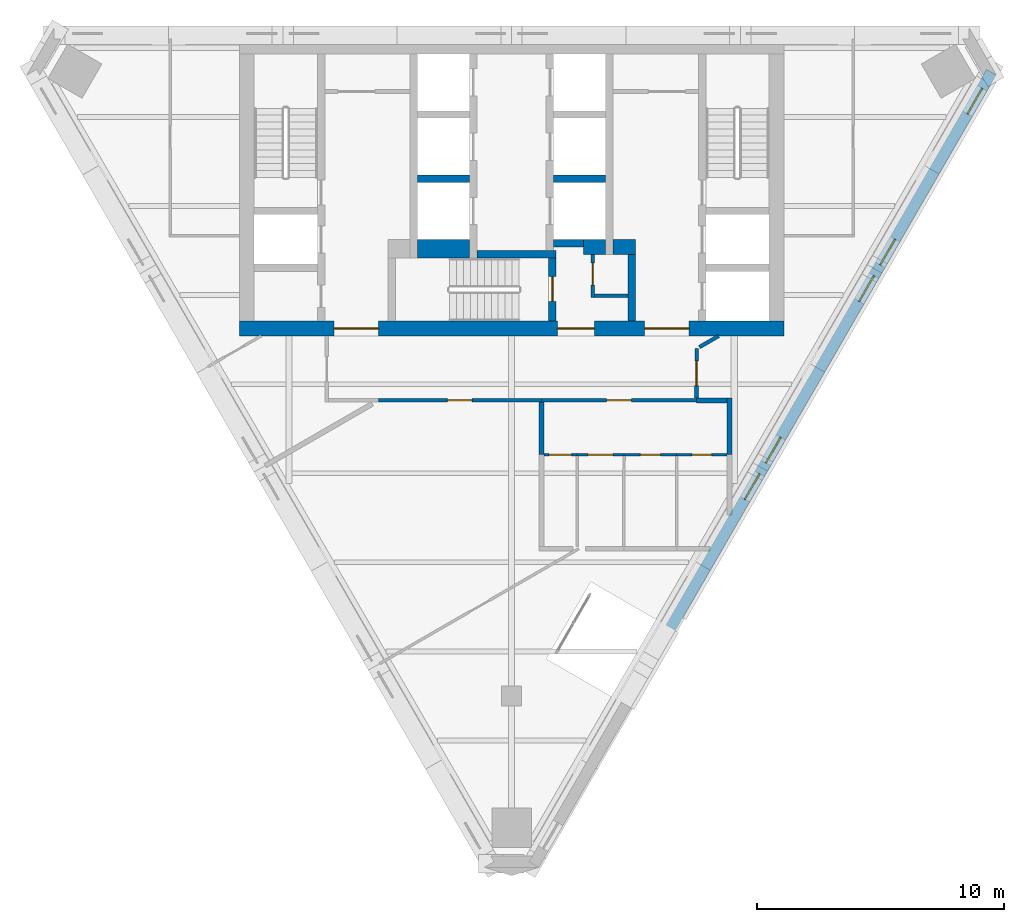
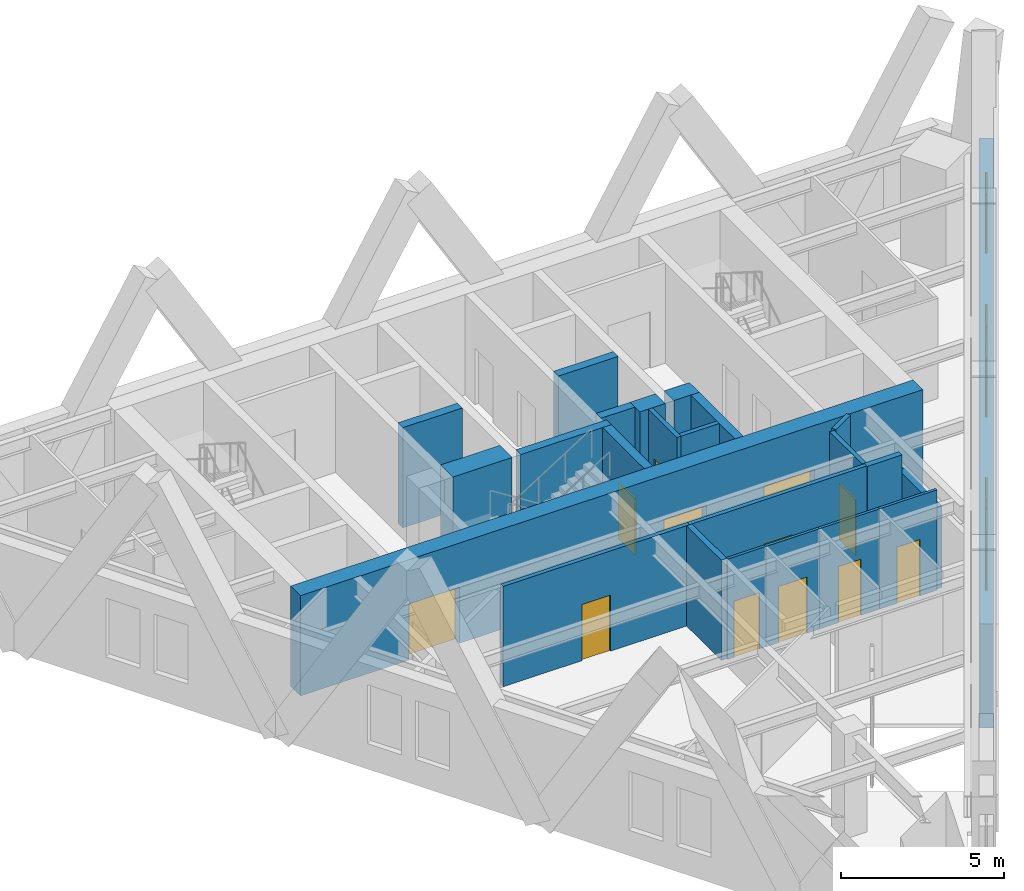
# One storey, part 5 of 9: 24 walls, 12 doors, 5 windows, 17 openings.
"""IFC4 building model written with IfcOpenShell, lengths in metres."""

from ifc_helpers import new_model, si_unit, direction, frame, frame_2d, origin, place, context, subcontext, project, spatial, polyline, rectangle, outline, extrude, material, layer, layer_set, type_object, element, fill, save


model = new_model("IFC4")

# Units and contexts
model_context = context("Model", 3, precision=1e-05, world=origin(), true_north=direction((0.0, 1.0)))
body_context = subcontext(model_context, "Body", "Model", "MODEL_VIEW")
ifc_project = project(units=[si_unit("LENGTHUNIT", "METRE"), si_unit("AREAUNIT", "SQUARE_METRE"), si_unit("VOLUMEUNIT", "CUBIC_METRE"), si_unit("PLANEANGLEUNIT", "RADIAN"), si_unit("MASSUNIT", "GRAM", prefix="KILO")], contexts=[model_context])

# Site, building, storey
site_placement = place(None, origin())
site = spatial("IfcSite", under=ifc_project, at=site_placement, CompositionType="ELEMENT")
building_placement = place(site_placement, origin())
building = spatial("IfcBuilding", under=site, at=building_placement, Name="Aloe Facet Convention Tower", CompositionType="ELEMENT")
storey_placement = place(building_placement, frame((0.0, 0.0, 277.699951171875)))
storey = spatial("IfcBuildingStorey", under=building, at=storey_placement, Name="L68", CompositionType="ELEMENT", Elevation=277.699951171875)

# Wall, opening, door
ifc_material_1 = material(Name="Concrete blockwork partition", Category="masonry")
ifc_layer_1 = layer(ifc_material_1, 0.14990234375)
ifc_layer_set_1 = layer_set([ifc_layer_1], Name="CR-W-PART150")
wall_type_1 = type_object("IfcWallType", Name="CR-W-PART150", PredefinedType="PARTITIONING", material=ifc_layer_set_1)
wall_1_placement = place(storey_placement, frame((83.27490234375, 125.85009765625, 0.0), z_axis=(0.0, 0.0, 1.0), x_axis=(0.0, -1.0, 0.0)))
wall_1 = element("IfcWall", 1, at=wall_1_placement, inside=storey, type_object=wall_type_1, Name="Core partition L68-022", PredefinedType="PARTITIONING", context=body_context, shape_type="SweptSolid", body=[
    extrude(rectangle(XDim=1.75, YDim=0.14990234375, at=frame_2d((0.875, 0.0))), origin(), (0.0, 0.0, 1.0), 3.75),
])
opening_1_placement = place(wall_1_placement, frame((0.35009765625, 0.0, 0.0)))
opening_1 = element("IfcOpeningElement", 2, at=opening_1_placement, cuts=wall_1, Name="Opening L68-CD12", PredefinedType="OPENING", context=body_context, shape_type="SweptSolid", body=[
    extrude(rectangle(XDim=0.89990234375, YDim=2.10009765625, at=frame_2d((0.449951171875, 1.050048828125))), frame((0.0, 0.0849609375, 0.0), z_axis=(0.0, -1.0, 0.0), x_axis=(1.0, 0.0, 0.0)), (0.0, 0.0, 1.0), 0.169921875),
])
ifc_material_2 = material(Name="Steel fire-resisting door set FD60", Category="steel")
door_type_1 = type_object("IfcDoorType", Name="CR-D-REFUGE-900-FD60-SRIGHT", OperationType="SINGLE_SWING_RIGHT", PredefinedType="DOOR", material=ifc_material_2)
door_1_placement = place(opening_1_placement, origin())
door_1 = element("IfcDoor", 3, at=door_1_placement, inside=storey, type_object=door_type_1, Name="Core door L68-CD12", OperationType="SINGLE_SWING_RIGHT", OverallHeight=2.10009765625, OverallWidth=0.89990234375, PredefinedType="DOOR", context=body_context, shape_type="SweptSolid", body=[
    extrude(rectangle(XDim=0.89990234375, YDim=2.10009765625, at=frame_2d((0.449951171875, 1.050048828125))), frame((0.0, 0.02490234375, 0.0), z_axis=(0.0, -1.0, 0.0), x_axis=(1.0, 0.0, 0.0)), (0.0, 0.0, 1.0), 0.050048828125),
])
fill(opening_1, door_1)

# Walls
wall_2_placement = place(storey_placement, frame((83.35009765625, 124.175048828125, 0.0), z_axis=(0.0, 0.0, 1.0), x_axis=(1.0, 0.0, 0.0)))
element("IfcWall", 4, at=wall_2_placement, inside=storey, type_object=wall_type_1, Name="Core partition L68-023", PredefinedType="PARTITIONING", context=body_context, shape_type="SweptSolid", body=[
    extrude(rectangle(XDim=1.349853515625, YDim=0.14990234375, at=frame_2d((0.6748046875, 0.0))), origin(), (0.0, 0.0, 1.0), 3.75),
])
ifc_material_3 = material(Name="Concrete C50/60", Category="concrete")
ifc_layer_2 = layer(ifc_material_3, 0.300048828125)
ifc_layer_set_2 = layer_set([ifc_layer_2], Name="CR-W-RC300-C5060")
wall_type_2 = type_object("IfcWallType", Name="CR-W-RC300-C5060", PredefinedType="SOLIDWALL", material=ifc_layer_set_2)
wall_3_placement = place(storey_placement, frame((76.199951171875, 128.89990234375, 0.0), z_axis=(0.0, 0.0, 1.0), x_axis=(1.0, 0.0, 0.0)))
element("IfcWall", 5, at=wall_3_placement, inside=storey, type_object=wall_type_2, Name="Core wall L68-012", PredefinedType="SOLIDWALL", context=body_context, shape_type="SweptSolid", body=[
    extrude(rectangle(XDim=2.10009765625, YDim=0.300048828125, at=frame_2d((1.050048828125, 0.0))), origin(), (0.0, 0.0, 1.0), 3.75),
])
wall_4_placement = place(storey_placement, frame((78.60009765625, 125.85009765625, 0.0), z_axis=(0.0, 0.0, 1.0), x_axis=(1.0, 0.0, 0.0)))
element("IfcWall", 6, at=wall_4_placement, inside=storey, type_object=wall_type_2, Name="Core wall L68-015", PredefinedType="SOLIDWALL", context=body_context, shape_type="SweptSolid", body=[
    extrude(rectangle(XDim=3.199951171875, YDim=0.300048828125, at=frame_2d((1.60009765625, 0.0))), origin(), (0.0, 0.0, 1.0), 3.75),
])

# Wall, opening, door
wall_5_placement = place(storey_placement, frame((81.64990234375, 125.699951171875, 0.0), z_axis=(0.0, 0.0, 1.0), x_axis=(0.0, -1.0, 0.0)))
wall_5 = element("IfcWall", 7, at=wall_5_placement, inside=storey, type_object=wall_type_2, Name="Core wall L68-017", PredefinedType="SOLIDWALL", context=body_context, shape_type="SweptSolid", body=[
    extrude(rectangle(XDim=2.550048828125, YDim=0.300048828125, at=frame_2d((1.27490234375, 0.0))), origin(), (0.0, 0.0, 1.0), 3.75),
])
opening_2_placement = place(wall_5_placement, frame((0.75, 0.0, 0.0)))
opening_2 = element("IfcOpeningElement", 8, at=opening_2_placement, cuts=wall_5, Name="Opening L68-CD18", PredefinedType="OPENING", context=body_context, shape_type="SweptSolid", body=[
    extrude(rectangle(XDim=1.0, YDim=2.10009765625, at=frame_2d((0.5, 1.050048828125))), frame((0.0, 0.16015625, 0.0), z_axis=(0.0, -1.0, 0.0), x_axis=(1.0, 0.0, 0.0)), (0.0, 0.0, 1.0), 0.320068359375),
])
ifc_material_4 = material(Name="Steel fire-resisting door set FD120", Category="steel")
door_type_2 = type_object("IfcDoorType", Name="CR-D-STAIR-1000-FD120-SLEFT", OperationType="SINGLE_SWING_LEFT", PredefinedType="DOOR", material=ifc_material_4)
door_2_placement = place(opening_2_placement, origin())
door_2 = element("IfcDoor", 9, at=door_2_placement, inside=storey, type_object=door_type_2, Name="Core door L68-CD18", OperationType="SINGLE_SWING_LEFT", OverallHeight=2.10009765625, OverallWidth=1.0, PredefinedType="DOOR", context=body_context, shape_type="SweptSolid", body=[
    extrude(rectangle(XDim=1.0, YDim=2.10009765625, at=frame_2d((0.5, 1.050048828125))), frame((0.0, 0.02490234375, 0.0), z_axis=(0.0, -1.0, 0.0), x_axis=(1.0, 0.0, 0.0)), (0.0, 0.0, 1.0), 0.050048828125),
])
fill(opening_2, door_2)

# Walls
wall_6_placement = place(storey_placement, frame((81.699951171875, 128.89990234375, 0.0), z_axis=(0.0, 0.0, 1.0), x_axis=(1.0, 0.0, 0.0)))
element("IfcWall", 10, at=wall_6_placement, inside=storey, type_object=wall_type_2, Name="Core wall L68-019", PredefinedType="SOLIDWALL", context=body_context, shape_type="SweptSolid", body=[
    extrude(rectangle(XDim=2.10009765625, YDim=0.300048828125, at=frame_2d((1.050048828125, 0.0))), origin(), (0.0, 0.0, 1.0), 3.75),
])
wall_7_placement = place(storey_placement, frame((81.699951171875, 126.300048828125, 0.0), z_axis=(0.0, 0.0, 1.0), x_axis=(1.0, 0.0, 0.0)))
element("IfcWall", 11, at=wall_7_placement, inside=storey, type_object=wall_type_2, Name="Core wall L68-020", PredefinedType="SOLIDWALL", context=body_context, shape_type="SweptSolid", body=[
    extrude(rectangle(XDim=1.199951171875, YDim=0.300048828125, at=frame_2d((0.60009765625, 0.0))), origin(), (0.0, 0.0, 1.0), 3.75),
])
wall_8_placement = place(storey_placement, frame((84.85009765625, 125.85009765625, 0.0), z_axis=(0.0, 0.0, 1.0), x_axis=(0.0, -1.0, 0.0)))
element("IfcWall", 12, at=wall_8_placement, inside=storey, type_object=wall_type_2, Name="Core wall L68-027", PredefinedType="SOLIDWALL", context=body_context, shape_type="SweptSolid", body=[
    extrude(rectangle(XDim=2.7001953125, YDim=0.300048828125, at=frame_2d((1.35009765625, 0.0))), origin(), (0.0, 0.0, 1.0), 3.75),
])

# Wall, openings, doors
ifc_material_5 = material(Name="Concrete C50/60", Category="concrete")
ifc_layer_3 = layer(ifc_material_5, 0.60009765625)
ifc_layer_set_3 = layer_set([ifc_layer_3], Name="CR-W-RC600-C5060")
wall_type_3 = type_object("IfcWallType", Name="CR-W-RC600-C5060", PredefinedType="SOLIDWALL", material=ifc_layer_set_3)
wall_9_placement = place(storey_placement, frame((69.0, 122.85009765625, 0.0), z_axis=(0.0, 0.0, 1.0), x_axis=(1.0, 0.0, 0.0)))
wall_9 = element("IfcWall", 13, at=wall_9_placement, inside=storey, type_object=wall_type_3, Name="Core wall L68-003", PredefinedType="SOLIDWALL", context=body_context, shape_type="SweptSolid", body=[
    extrude(rectangle(XDim=22.0, YDim=0.60009765625, at=frame_2d((11.0, 0.0))), origin(), (0.0, 0.0, 1.0), 3.75),
])
opening_3_placement = place(wall_9_placement, frame((16.375, 0.0, 0.0)))
opening_3 = element("IfcOpeningElement", 14, at=opening_3_placement, cuts=wall_9, Name="Opening L68-CD09", PredefinedType="OPENING", context=body_context, shape_type="SweptSolid", body=[
    extrude(rectangle(XDim=1.800048828125, YDim=2.10009765625, at=frame_2d((0.89990234375, 1.050048828125))), frame((0.0, 0.31005859375, 0.0), z_axis=(0.0, -1.0, 0.0), x_axis=(1.0, 0.0, 0.0)), (0.0, 0.0, 1.0), 0.6201171875),
])
opening_4_placement = place(wall_9_placement, frame((3.824951171875, 0.0, 0.0)))
opening_4 = element("IfcOpeningElement", 15, at=opening_4_placement, cuts=wall_9, Name="Opening L68-CD10", PredefinedType="OPENING", context=body_context, shape_type="SweptSolid", body=[
    extrude(rectangle(XDim=1.800048828125, YDim=2.10009765625, at=frame_2d((0.89990234375, 1.050048828125))), frame((0.0, 0.31005859375, 0.0), z_axis=(0.0, -1.0, 0.0), x_axis=(1.0, 0.0, 0.0)), (0.0, 0.0, 1.0), 0.6201171875),
])
opening_5_placement = place(wall_9_placement, frame((12.85009765625, 0.0, 0.0)))
opening_5 = element("IfcOpeningElement", 16, at=opening_5_placement, cuts=wall_9, Name="Opening L68-CD11", PredefinedType="OPENING", context=body_context, shape_type="SweptSolid", body=[
    extrude(rectangle(XDim=1.5, YDim=2.10009765625, at=frame_2d((0.75, 1.050048828125))), frame((0.0, 0.31005859375, 0.0), z_axis=(0.0, -1.0, 0.0), x_axis=(1.0, 0.0, 0.0)), (0.0, 0.0, 1.0), 0.6201171875),
])
ifc_material_6 = material(Name="Steel fire-resisting door set FD60", Category="steel")
door_type_3 = type_object("IfcDoorType", Name="CR-D-EXIT-1500-FD60-DD", OperationType="DOUBLE_DOOR_DOUBLE_SWING", PredefinedType="DOOR", material=ifc_material_6)
door_3_placement = place(opening_5_placement, origin())
door_3 = element("IfcDoor", 17, at=door_3_placement, inside=storey, type_object=door_type_3, Name="Core door L68-CD11", OperationType="DOUBLE_DOOR_DOUBLE_SWING", OverallHeight=2.10009765625, OverallWidth=1.5, PredefinedType="DOOR", context=body_context, shape_type="SweptSolid", body=[
    extrude(rectangle(XDim=1.5, YDim=2.10009765625, at=frame_2d((0.75, 1.050048828125))), frame((0.0, 0.02490234375, 0.0), z_axis=(0.0, -1.0, 0.0), x_axis=(1.0, 0.0, 0.0)), (0.0, 0.0, 1.0), 0.050048828125),
])
fill(opening_5, door_3)
ifc_material_7 = material(Name="Steel fire-resisting door set FD120", Category="steel")
door_type_4 = type_object("IfcDoorType", Name="CR-D-EXIT-1800-FD120-DD", OperationType="DOUBLE_DOOR_DOUBLE_SWING", PredefinedType="DOOR", material=ifc_material_7)
door_4_placement = place(opening_3_placement, origin())
door_4 = element("IfcDoor", 18, at=door_4_placement, inside=storey, type_object=door_type_4, Name="Core door L68-CD09", OperationType="DOUBLE_DOOR_DOUBLE_SWING", OverallHeight=2.10009765625, OverallWidth=1.800048828125, PredefinedType="DOOR", context=body_context, shape_type="SweptSolid", body=[
    extrude(rectangle(XDim=1.800048828125, YDim=2.10009765625, at=frame_2d((0.89990234375, 1.050048828125))), frame((0.0, 0.02490234375, 0.0), z_axis=(0.0, -1.0, 0.0), x_axis=(1.0, 0.0, 0.0)), (0.0, 0.0, 1.0), 0.050048828125),
])
fill(opening_3, door_4)
door_5_placement = place(opening_4_placement, origin())
door_5 = element("IfcDoor", 19, at=door_5_placement, inside=storey, type_object=door_type_4, Name="Core door L68-CD10", OperationType="DOUBLE_DOOR_DOUBLE_SWING", OverallHeight=2.10009765625, OverallWidth=1.800048828125, PredefinedType="DOOR", context=body_context, shape_type="SweptSolid", body=[
    extrude(rectangle(XDim=1.800048828125, YDim=2.10009765625, at=frame_2d((0.89990234375, 1.050048828125))), frame((0.0, 0.02490234375, 0.0), z_axis=(0.0, -1.0, 0.0), x_axis=(1.0, 0.0, 0.0)), (0.0, 0.0, 1.0), 0.050048828125),
])
fill(opening_4, door_5)

# Walls
wall_10_placement = place(storey_placement, frame((82.89990234375, 126.14990234375, 0.0), z_axis=(0.0, 0.0, 1.0), x_axis=(1.0, 0.0, 0.0)))
element("IfcWall", 20, at=wall_10_placement, inside=storey, type_object=wall_type_3, Name="Core wall L68-021", PredefinedType="SOLIDWALL", context=body_context, shape_type="SweptSolid", body=[
    extrude(rectangle(XDim=0.900146484375, YDim=0.60009765625, at=frame_2d((0.4501953125, 0.0))), origin(), (0.0, 0.0, 1.0), 3.75),
])
wall_11_placement = place(storey_placement, frame((84.10009765625, 126.14990234375, 0.0), z_axis=(0.0, 0.0, 1.0), x_axis=(1.0, 0.0, 0.0)))
element("IfcWall", 21, at=wall_11_placement, inside=storey, type_object=wall_type_3, Name="Core wall L68-026", PredefinedType="SOLIDWALL", context=body_context, shape_type="SweptSolid", body=[
    extrude(rectangle(XDim=0.89990234375, YDim=0.60009765625, at=frame_2d((0.449951171875, 0.0))), origin(), (0.0, 0.0, 1.0), 3.75),
])
ifc_material_8 = material(Name="Concrete C50/60", Category="concrete")
ifc_layer_4 = layer(ifc_material_8, 0.75)
ifc_layer_set_4 = layer_set([ifc_layer_4], Name="CR-W-RC750-C5060")
wall_type_4 = type_object("IfcWallType", Name="CR-W-RC750-C5060", PredefinedType="SOLIDWALL", material=ifc_layer_set_4)
wall_12_placement = place(storey_placement, frame((76.199951171875, 126.074951171875, 0.0), z_axis=(0.0, 0.0, 1.0), x_axis=(1.0, 0.0, 0.0)))
element("IfcWall", 22, at=wall_12_placement, inside=storey, type_object=wall_type_4, Name="Core wall L68-013", PredefinedType="SOLIDWALL", context=body_context, shape_type="SweptSolid", body=[
    extrude(rectangle(XDim=2.10009765625, YDim=0.75, at=frame_2d((1.050048828125, 0.0))), origin(), (0.0, 0.0, 1.0), 3.75),
])

# Wall, openings, windows
ifc_material_9 = material(Name="Precast concrete C40/50", Category="concrete")
ifc_layer_5 = layer(ifc_material_9, 0.449951171875)
ifc_layer_set_5 = layer_set([ifc_layer_5], Name="EV-WALL-STONE")
wall_type_5 = type_object("IfcWallType", Name="EV-WALL-STONE", PredefinedType="SOLIDWALL", material=ifc_layer_set_5)
wall_13_placement = place(storey_placement, frame((86.4267578125, 110.751953125, -0.14990234375), z_axis=(0.0, 0.0, 1.0), x_axis=(0.500000383388, 0.866025182435, 0.0)))
wall_13 = element("IfcWall", 23, at=wall_13_placement, inside=storey, type_object=wall_type_5, Name="EW-L68-E02", PredefinedType="SOLIDWALL", context=body_context, shape_type="SweptSolid", body=[
    extrude(outline(polyline([(25.92919921875, 3.89990234375), (25.92919921875, 0.0), (0.0, 0.0), (0.0, 3.89990234375), (25.92919921875, 3.89990234375)])), frame((0.0, 0.22509765625, 0.0), z_axis=(0.0, -1.0, 0.0), x_axis=(1.0, 0.0, 0.0)), (0.0, 0.0, 1.0), 0.449951171875),
])
opening_6_placement = place(wall_13_placement, frame((5.9931640625, 0.0, 0.949951171875)))
opening_6 = element("IfcOpeningElement", 24, at=opening_6_placement, cuts=wall_13, Name="Opening W-L68-E02", PredefinedType="OPENING", context=body_context, shape_type="SweptSolid", body=[
    extrude(rectangle(XDim=1.199951171875, YDim=2.199951171875, at=frame_2d((0.60009765625, 1.10009765625))), frame((0.0, 0.23486328125, 0.0), z_axis=(0.0, -1.0, 0.0), x_axis=(1.0, 0.0, 0.0)), (0.0, 0.0, 1.0), 0.469970703125),
])
opening_7_placement = place(wall_13_placement, frame((7.693115234375, 0.0, 0.949951171875)))
opening_7 = element("IfcOpeningElement", 25, at=opening_7_placement, cuts=wall_13, Name="Opening W-L68-E03", PredefinedType="OPENING", context=body_context, shape_type="SweptSolid", body=[
    extrude(rectangle(XDim=1.199951171875, YDim=2.199951171875, at=frame_2d((0.60009765625, 1.10009765625))), frame((0.0, 0.23486328125, 0.0), z_axis=(0.0, -1.0, 0.0), x_axis=(1.0, 0.0, 0.0)), (0.0, 0.0, 1.0), 0.469970703125),
])
opening_8_placement = place(wall_13_placement, frame((15.236083984375, 0.0, 0.949951171875)))
opening_8 = element("IfcOpeningElement", 26, at=opening_8_placement, cuts=wall_13, Name="Opening W-L68-E04", PredefinedType="OPENING", context=body_context, shape_type="SweptSolid", body=[
    extrude(rectangle(XDim=1.199951171875, YDim=2.199951171875, at=frame_2d((0.60009765625, 1.10009765625))), frame((0.0, 0.23486328125, 0.0), z_axis=(0.0, -1.0, 0.0), x_axis=(1.0, 0.0, 0.0)), (0.0, 0.0, 1.0), 0.469970703125),
])
opening_9_placement = place(wall_13_placement, frame((16.93603515625, 0.0, 0.949951171875)))
opening_9 = element("IfcOpeningElement", 27, at=opening_9_placement, cuts=wall_13, Name="Opening W-L68-E05", PredefinedType="OPENING", context=body_context, shape_type="SweptSolid", body=[
    extrude(rectangle(XDim=1.199951171875, YDim=2.199951171875, at=frame_2d((0.60009765625, 1.10009765625))), frame((0.0, 0.23486328125, 0.0), z_axis=(0.0, -1.0, 0.0), x_axis=(1.0, 0.0, 0.0)), (0.0, 0.0, 1.0), 0.469970703125),
])
opening_10_placement = place(wall_13_placement, frame((23.985107421875, 0.0, 0.949951171875)))
opening_10 = element("IfcOpeningElement", 28, at=opening_10_placement, cuts=wall_13, Name="Opening W-L68-E06", PredefinedType="OPENING", context=body_context, shape_type="SweptSolid", body=[
    extrude(rectangle(XDim=1.199951171875, YDim=2.199951171875, at=frame_2d((0.60009765625, 1.10009765625))), frame((0.0, 0.23486328125, 0.0), z_axis=(0.0, -1.0, 0.0), x_axis=(1.0, 0.0, 0.0)), (0.0, 0.0, 1.0), 0.469970703125),
])
ifc_material_10 = material(Name="Aluminium frame, clear double glazing", Category="aluminium")
window_type = type_object("IfcWindowType", Name="EV-WIN-O12", PartitioningType="SINGLE_PANEL", PredefinedType="WINDOW", material=ifc_material_10)
window_1_placement = place(opening_6_placement, origin())
window_1 = element("IfcWindow", 29, at=window_1_placement, inside=storey, type_object=window_type, Name="W-L68-E02", OverallHeight=2.199951171875, OverallWidth=1.199951171875, PartitioningType="SINGLE_PANEL", PredefinedType="WINDOW", context=body_context, shape_type="SweptSolid", body=[
    extrude(rectangle(XDim=1.199951171875, YDim=2.199951171875, at=frame_2d((0.60009765625, 1.10009765625))), frame((0.0, 0.030029296875, 0.0), z_axis=(0.0, -1.0, 0.0), x_axis=(1.0, 0.0, 0.0)), (0.0, 0.0, 1.0), 0.06005859375),
])
fill(opening_6, window_1)
window_2_placement = place(opening_7_placement, origin())
window_2 = element("IfcWindow", 30, at=window_2_placement, inside=storey, type_object=window_type, Name="W-L68-E03", OverallHeight=2.199951171875, OverallWidth=1.199951171875, PartitioningType="SINGLE_PANEL", PredefinedType="WINDOW", context=body_context, shape_type="SweptSolid", body=[
    extrude(rectangle(XDim=1.199951171875, YDim=2.199951171875, at=frame_2d((0.60009765625, 1.10009765625))), frame((0.0, 0.030029296875, 0.0), z_axis=(0.0, -1.0, 0.0), x_axis=(1.0, 0.0, 0.0)), (0.0, 0.0, 1.0), 0.06005859375),
])
fill(opening_7, window_2)
window_3_placement = place(opening_8_placement, origin())
window_3 = element("IfcWindow", 31, at=window_3_placement, inside=storey, type_object=window_type, Name="W-L68-E04", OverallHeight=2.199951171875, OverallWidth=1.199951171875, PartitioningType="SINGLE_PANEL", PredefinedType="WINDOW", context=body_context, shape_type="SweptSolid", body=[
    extrude(rectangle(XDim=1.199951171875, YDim=2.199951171875, at=frame_2d((0.60009765625, 1.10009765625))), frame((0.0, 0.030029296875, 0.0), z_axis=(0.0, -1.0, 0.0), x_axis=(1.0, 0.0, 0.0)), (0.0, 0.0, 1.0), 0.06005859375),
])
fill(opening_8, window_3)
window_4_placement = place(opening_9_placement, origin())
window_4 = element("IfcWindow", 32, at=window_4_placement, inside=storey, type_object=window_type, Name="W-L68-E05", OverallHeight=2.199951171875, OverallWidth=1.199951171875, PartitioningType="SINGLE_PANEL", PredefinedType="WINDOW", context=body_context, shape_type="SweptSolid", body=[
    extrude(rectangle(XDim=1.199951171875, YDim=2.199951171875, at=frame_2d((0.60009765625, 1.10009765625))), frame((0.0, 0.030029296875, 0.0), z_axis=(0.0, -1.0, 0.0), x_axis=(1.0, 0.0, 0.0)), (0.0, 0.0, 1.0), 0.06005859375),
])
fill(opening_9, window_4)
window_5_placement = place(opening_10_placement, origin())
window_5 = element("IfcWindow", 33, at=window_5_placement, inside=storey, type_object=window_type, Name="W-L68-E06", OverallHeight=2.199951171875, OverallWidth=1.199951171875, PartitioningType="SINGLE_PANEL", PredefinedType="WINDOW", context=body_context, shape_type="SweptSolid", body=[
    extrude(rectangle(XDim=1.199951171875, YDim=2.199951171875, at=frame_2d((0.60009765625, 1.10009765625))), frame((0.0, 0.030029296875, 0.0), z_axis=(0.0, -1.0, 0.0), x_axis=(1.0, 0.0, 0.0)), (0.0, 0.0, 1.0), 0.06005859375),
])
fill(opening_10, window_5)

# Wall, opening, door
ifc_material_11 = material(Name="Gypsum board partition on steel studs", Category="steel")
ifc_layer_6 = layer(ifc_material_11, 0.14990234375)
ifc_layer_set_6 = layer_set([ifc_layer_6], Name="IN-W-CORR")
wall_type_6 = type_object("IfcWallType", Name="IN-W-CORR", PredefinedType="PARTITIONING", material=ifc_layer_set_6)
wall_14_placement = place(storey_placement, frame((74.61865234375, 119.949951171875, 0.0), z_axis=(0.0, 0.0, 1.0), x_axis=(1.0, 0.0, 0.0)))
wall_14 = element("IfcWall", 34, at=wall_14_placement, inside=storey, type_object=wall_type_6, Name="Partition L68-W021", PredefinedType="PARTITIONING", context=body_context, shape_type="SweptSolid", body=[
    extrude(rectangle(XDim=6.581298828125, YDim=0.14990234375, at=frame_2d((3.29052734375, 0.0))), origin(), (0.0, 0.0, 1.0), 3.75),
])
opening_11_placement = place(wall_14_placement, frame((2.79052734375, 0.0, 0.0)))
opening_11 = element("IfcOpeningElement", 35, at=opening_11_placement, cuts=wall_14, Name="Opening L68-009", PredefinedType="OPENING", context=body_context, shape_type="SweptSolid", body=[
    extrude(rectangle(XDim=1.0, YDim=2.10009765625, at=frame_2d((0.5, 1.050048828125))), frame((0.0, 0.0849609375, 0.0), z_axis=(0.0, -1.0, 0.0), x_axis=(1.0, 0.0, 0.0)), (0.0, 0.0, 1.0), 0.169921875),
])
ifc_material_12 = material(Name="Timber door FD30S with vision panel", Category="wood")
door_type_5 = type_object("IfcDoorType", Name="IN-OFF-D-ENTRY", OperationType="SINGLE_SWING_LEFT", PredefinedType="DOOR", material=ifc_material_12)
door_6_placement = place(opening_11_placement, origin())
door_6 = element("IfcDoor", 36, at=door_6_placement, inside=storey, type_object=door_type_5, Name="Door L68-009", OperationType="SINGLE_SWING_LEFT", OverallHeight=2.10009765625, OverallWidth=1.0, PredefinedType="DOOR", context=body_context, shape_type="SweptSolid", body=[
    extrude(rectangle(XDim=1.0, YDim=2.10009765625, at=frame_2d((0.5, 1.050048828125))), frame((0.0, 0.02490234375, 0.0), z_axis=(0.0, -1.0, 0.0), x_axis=(1.0, 0.0, 0.0)), (0.0, 0.0, 1.0), 0.050048828125),
])
fill(opening_11, door_6)

wall_15_placement = place(storey_placement, frame((81.199951171875, 119.949951171875, 0.0), z_axis=(0.0, 0.0, 1.0), x_axis=(1.0, 0.0, 0.0)))
wall_15 = element("IfcWall", 37, at=wall_15_placement, inside=storey, type_object=wall_type_6, Name="Partition L68-W022", PredefinedType="PARTITIONING", context=body_context, shape_type="SweptSolid", body=[
    extrude(rectangle(XDim=6.27490234375, YDim=0.14990234375, at=frame_2d((3.137451171875, 0.0))), origin(), (0.0, 0.0, 1.0), 3.75),
])
opening_12_placement = place(wall_15_placement, frame((2.637451171875, 0.0, 0.0)))
opening_12 = element("IfcOpeningElement", 38, at=opening_12_placement, cuts=wall_15, Name="Opening L68-001", PredefinedType="OPENING", context=body_context, shape_type="SweptSolid", body=[
    extrude(rectangle(XDim=1.0, YDim=2.10009765625, at=frame_2d((0.5, 1.050048828125))), frame((0.0, 0.0849609375, 0.0), z_axis=(0.0, -1.0, 0.0), x_axis=(1.0, 0.0, 0.0)), (0.0, 0.0, 1.0), 0.169921875),
])
door_7_placement = place(opening_12_placement, origin())
door_7 = element("IfcDoor", 39, at=door_7_placement, inside=storey, type_object=door_type_5, Name="Door L68-001", OperationType="SINGLE_SWING_LEFT", OverallHeight=2.10009765625, OverallWidth=1.0, PredefinedType="DOOR", context=body_context, shape_type="SweptSolid", body=[
    extrude(rectangle(XDim=1.0, YDim=2.10009765625, at=frame_2d((0.5, 1.050048828125))), frame((0.0, 0.02490234375, 0.0), z_axis=(0.0, -1.0, 0.0), x_axis=(1.0, 0.0, 0.0)), (0.0, 0.0, 1.0), 0.050048828125),
])
fill(opening_12, door_7)

wall_16_placement = place(storey_placement, frame((87.47509765625, 120.050048828125, 0.0), z_axis=(0.0, 0.0, 1.0), x_axis=(0.001476558006, 0.999998909888, 0.0)))
wall_16 = element("IfcWall", 40, at=wall_16_placement, inside=storey, type_object=wall_type_6, Name="Partition L68-W023", PredefinedType="PARTITIONING", context=body_context, shape_type="SweptSolid", body=[
    extrude(rectangle(XDim=1.984130859375, YDim=0.14990234375, at=frame_2d((0.9921875, 0.0))), origin(), (0.0, 0.0, 1.0), 3.75),
])
opening_13_placement = place(wall_16_placement, frame((0.4921875, 0.0, 0.0)))
opening_13 = element("IfcOpeningElement", 41, at=opening_13_placement, cuts=wall_16, Name="Opening L68-011", PredefinedType="OPENING", context=body_context, shape_type="SweptSolid", body=[
    extrude(rectangle(XDim=1.0, YDim=2.10009765625, at=frame_2d((0.5, 1.050048828125))), frame((0.0, 0.0849609375, 0.0), z_axis=(0.0, -1.0, 0.0), x_axis=(1.0, 0.0, 0.0)), (0.0, 0.0, 1.0), 0.169921875),
])
door_8_placement = place(opening_13_placement, origin())
door_8 = element("IfcDoor", 42, at=door_8_placement, inside=storey, type_object=door_type_5, Name="Door L68-011", OperationType="SINGLE_SWING_LEFT", OverallHeight=2.10009765625, OverallWidth=1.0, PredefinedType="DOOR", context=body_context, shape_type="SweptSolid", body=[
    extrude(rectangle(XDim=1.0, YDim=2.10009765625, at=frame_2d((0.5, 1.050048828125))), frame((0.0, 0.02490234375, 0.0), z_axis=(0.0, -1.0, 0.0), x_axis=(1.0, 0.0, 0.0)), (0.0, 0.0, 1.0), 0.050048828125),
])
fill(opening_13, door_8)

# Wall
wall_17_placement = place(storey_placement, frame((87.590576171875, 122.099365234375, 0.0), z_axis=(0.0, 0.0, 1.0), x_axis=(0.866072174983, 0.499918981156, 0.0)))
element("IfcWall", 43, at=wall_17_placement, inside=storey, type_object=wall_type_6, Name="Partition L68-W025", PredefinedType="PARTITIONING", context=body_context, shape_type="SweptSolid", body=[
    extrude(rectangle(XDim=0.896240234375, YDim=0.14990234375, at=frame_2d((0.4482421875, 0.0))), origin(), (0.0, 0.0, 1.0), 3.75),
])

# Wall, opening, door
ifc_material_13 = material(Name="Gypsum board partition on steel studs", Category="steel")
ifc_layer_7 = layer(ifc_material_13, 0.10009765625)
ifc_layer_set_7 = layer_set([ifc_layer_7], Name="IN-W-PART")
wall_type_7 = type_object("IfcWallType", Name="IN-W-PART", PredefinedType="PARTITIONING", material=ifc_layer_set_7)
wall_18_placement = place(storey_placement, frame((81.300048828125, 117.75, 0.0), z_axis=(0.0, 0.0, 1.0), x_axis=(1.0, 0.0, 0.0)))
wall_18 = element("IfcWall", 44, at=wall_18_placement, inside=storey, type_object=wall_type_7, Name="Partition L68-W010", PredefinedType="PARTITIONING", context=body_context, shape_type="SweptSolid", body=[
    extrude(rectangle(XDim=1.343994140625, YDim=0.10009765625, at=frame_2d((0.671875, 0.0))), origin(), (0.0, 0.0, 1.0), 3.75),
])
opening_14_placement = place(wall_18_placement, frame((0.221923828125, 0.0, 0.0)))
opening_14 = element("IfcOpeningElement", 45, at=opening_14_placement, cuts=wall_18, Name="Opening L68-002", PredefinedType="OPENING", context=body_context, shape_type="SweptSolid", body=[
    extrude(rectangle(XDim=0.89990234375, YDim=2.10009765625, at=frame_2d((0.449951171875, 1.050048828125))), frame((0.0, 0.06005859375, 0.0), z_axis=(0.0, -1.0, 0.0), x_axis=(1.0, 0.0, 0.0)), (0.0, 0.0, 1.0), 0.1201171875),
])
ifc_material_14 = material(Name="Timber door", Category="wood")
door_type_6 = type_object("IfcDoorType", Name="IN-OFF-D-ROOM", OperationType="SINGLE_SWING_LEFT", PredefinedType="DOOR", material=ifc_material_14)
door_9_placement = place(opening_14_placement, origin())
door_9 = element("IfcDoor", 46, at=door_9_placement, inside=storey, type_object=door_type_6, Name="Door L68-002", OperationType="SINGLE_SWING_LEFT", OverallHeight=2.10009765625, OverallWidth=0.89990234375, PredefinedType="DOOR", context=body_context, shape_type="SweptSolid", body=[
    extrude(rectangle(XDim=0.89990234375, YDim=2.10009765625, at=frame_2d((0.449951171875, 1.050048828125))), frame((0.0, 0.02490234375, 0.0), z_axis=(0.0, -1.0, 0.0), x_axis=(1.0, 0.0, 0.0)), (0.0, 0.0, 1.0), 0.050048828125),
])
fill(opening_14, door_9)

wall_19_placement = place(storey_placement, frame((82.64404296875, 117.75, 0.0), z_axis=(0.0, 0.0, 1.0), x_axis=(1.0, 0.0, 0.0)))
wall_19 = element("IfcWall", 47, at=wall_19_placement, inside=storey, type_object=wall_type_7, Name="Partition L68-W012", PredefinedType="PARTITIONING", context=body_context, shape_type="SweptSolid", body=[
    extrude(rectangle(XDim=1.89990234375, YDim=0.10009765625, at=frame_2d((0.949951171875, 0.0))), origin(), (0.0, 0.0, 1.0), 3.75),
])
opening_15_placement = place(wall_19_placement, frame((0.449951171875, 0.0, 0.0)))
opening_15 = element("IfcOpeningElement", 48, at=opening_15_placement, cuts=wall_19, Name="Opening L68-003", PredefinedType="OPENING", context=body_context, shape_type="SweptSolid", body=[
    extrude(rectangle(XDim=1.0, YDim=2.10009765625, at=frame_2d((0.5, 1.050048828125))), frame((0.0, 0.06005859375, 0.0), z_axis=(0.0, -1.0, 0.0), x_axis=(1.0, 0.0, 0.0)), (0.0, 0.0, 1.0), 0.1201171875),
])
ifc_material_15 = material(Name="Timber door", Category="wood")
door_type_7 = type_object("IfcDoorType", Name="IN-OFF-D-WIDE", OperationType="SINGLE_SWING_LEFT", PredefinedType="DOOR", material=ifc_material_15)
door_10_placement = place(opening_15_placement, origin())
door_10 = element("IfcDoor", 49, at=door_10_placement, inside=storey, type_object=door_type_7, Name="Door L68-003", OperationType="SINGLE_SWING_LEFT", OverallHeight=2.10009765625, OverallWidth=1.0, PredefinedType="DOOR", context=body_context, shape_type="SweptSolid", body=[
    extrude(rectangle(XDim=1.0, YDim=2.10009765625, at=frame_2d((0.5, 1.050048828125))), frame((0.0, 0.02490234375, 0.0), z_axis=(0.0, -1.0, 0.0), x_axis=(1.0, 0.0, 0.0)), (0.0, 0.0, 1.0), 0.050048828125),
])
fill(opening_15, door_10)

wall_20_placement = place(storey_placement, frame((84.5439453125, 117.75, 0.0), z_axis=(0.0, 0.0, 1.0), x_axis=(1.0, 0.0, 0.0)))
wall_20 = element("IfcWall", 50, at=wall_20_placement, inside=storey, type_object=wall_type_7, Name="Partition L68-W014", PredefinedType="PARTITIONING", context=body_context, shape_type="SweptSolid", body=[
    extrude(rectangle(XDim=2.128173828125, YDim=0.10009765625, at=frame_2d((1.06396484375, 0.0))), origin(), (0.0, 0.0, 1.0), 3.75),
])
opening_16_placement = place(wall_20_placement, frame((0.6640625, 0.0, 0.0)))
opening_16 = element("IfcOpeningElement", 51, at=opening_16_placement, cuts=wall_20, Name="Opening L68-004", PredefinedType="OPENING", context=body_context, shape_type="SweptSolid", body=[
    extrude(rectangle(XDim=0.800048828125, YDim=2.10009765625, at=frame_2d((0.39990234375, 1.050048828125))), frame((0.0, 0.06005859375, 0.0), z_axis=(0.0, -1.0, 0.0), x_axis=(1.0, 0.0, 0.0)), (0.0, 0.0, 1.0), 0.1201171875),
])
ifc_material_16 = material(Name="Timber door", Category="wood")
door_type_8 = type_object("IfcDoorType", Name="IN-OFF-D-WC", OperationType="SINGLE_SWING_LEFT", PredefinedType="DOOR", material=ifc_material_16)
door_11_placement = place(opening_16_placement, origin())
door_11 = element("IfcDoor", 52, at=door_11_placement, inside=storey, type_object=door_type_8, Name="Door L68-004", OperationType="SINGLE_SWING_LEFT", OverallHeight=2.10009765625, OverallWidth=0.800048828125, PredefinedType="DOOR", context=body_context, shape_type="SweptSolid", body=[
    extrude(rectangle(XDim=0.800048828125, YDim=2.10009765625, at=frame_2d((0.39990234375, 1.050048828125))), frame((0.0, 0.02490234375, 0.0), z_axis=(0.0, -1.0, 0.0), x_axis=(1.0, 0.0, 0.0)), (0.0, 0.0, 1.0), 0.050048828125),
])
fill(opening_16, door_11)

wall_21_placement = place(storey_placement, frame((86.672119140625, 117.75, 0.0), z_axis=(0.0, 0.0, 1.0), x_axis=(1.0, 0.0, 0.0)))
wall_21 = element("IfcWall", 53, at=wall_21_placement, inside=storey, type_object=wall_type_7, Name="Partition L68-W015", PredefinedType="PARTITIONING", context=body_context, shape_type="SweptSolid", body=[
    extrude(rectangle(XDim=2.03076171875, YDim=0.10009765625, at=frame_2d((1.015380859375, 0.0))), origin(), (0.0, 0.0, 1.0), 3.75),
])
opening_17_placement = place(wall_21_placement, frame((0.615478515625, 0.0, 0.0)))
opening_17 = element("IfcOpeningElement", 54, at=opening_17_placement, cuts=wall_21, Name="Opening L68-005", PredefinedType="OPENING", context=body_context, shape_type="SweptSolid", body=[
    extrude(rectangle(XDim=0.800048828125, YDim=2.10009765625, at=frame_2d((0.39990234375, 1.050048828125))), frame((0.0, 0.06005859375, 0.0), z_axis=(0.0, -1.0, 0.0), x_axis=(1.0, 0.0, 0.0)), (0.0, 0.0, 1.0), 0.1201171875),
])
door_12_placement = place(opening_17_placement, origin())
door_12 = element("IfcDoor", 55, at=door_12_placement, inside=storey, type_object=door_type_8, Name="Door L68-005", OperationType="SINGLE_SWING_LEFT", OverallHeight=2.10009765625, OverallWidth=0.800048828125, PredefinedType="DOOR", context=body_context, shape_type="SweptSolid", body=[
    extrude(rectangle(XDim=0.800048828125, YDim=2.10009765625, at=frame_2d((0.39990234375, 1.050048828125))), frame((0.0, 0.02490234375, 0.0), z_axis=(0.0, -1.0, 0.0), x_axis=(1.0, 0.0, 0.0)), (0.0, 0.0, 1.0), 0.050048828125),
])
fill(opening_17, door_12)

# Walls
ifc_material_17 = material(Name="Gypsum board partition on steel studs", Category="steel")
ifc_layer_8 = layer(ifc_material_17, 0.199951171875)
ifc_layer_set_8 = layer_set([ifc_layer_8], Name="IN-W-PARTY")
wall_type_8 = type_object("IfcWallType", Name="IN-W-PARTY", PredefinedType="PARTITIONING", material=ifc_layer_set_8)
wall_22_placement = place(storey_placement, frame((88.802978515625, 120.050048828125, 0.0), z_axis=(0.0, 0.0, 1.0), x_axis=(0.0, -1.0, 0.0)))
element("IfcWall", 56, at=wall_22_placement, inside=storey, type_object=wall_type_8, Name="Partition L68-W016", PredefinedType="PARTITIONING", context=body_context, shape_type="SweptSolid", body=[
    extrude(rectangle(XDim=2.300048828125, YDim=0.199951171875, at=frame_2d((1.14990234375, 0.0))), origin(), (0.0, 0.0, 1.0), 3.062255859375),
])
wall_23_placement = place(storey_placement, frame((81.199951171875, 117.75, 0.0), z_axis=(0.0, 0.0, 1.0), x_axis=(0.0, 1.0, 0.0)))
element("IfcWall", 57, at=wall_23_placement, inside=storey, type_object=wall_type_8, Name="Partition L68-W020", PredefinedType="PARTITIONING", context=body_context, shape_type="SweptSolid", body=[
    extrude(rectangle(XDim=2.125, YDim=0.199951171875, at=frame_2d((1.0625, 0.0))), origin(), (0.0, 0.0, 1.0), 3.75),
])
wall_24_placement = place(storey_placement, frame((87.474853515625, 119.949951171875, 0.0), z_axis=(0.0, 0.0, 1.0), x_axis=(1.0, 0.0, 0.0)))
element("IfcWall", 58, at=wall_24_placement, inside=storey, type_object=wall_type_8, Name="Partition L68-W024", PredefinedType="PARTITIONING", context=body_context, shape_type="SweptSolid", body=[
    extrude(rectangle(XDim=1.22802734375, YDim=0.199951171875, at=frame_2d((0.614013671875, 0.0))), origin(), (0.0, 0.0, 1.0), 3.75),
])

save(model, "model.ifc")
